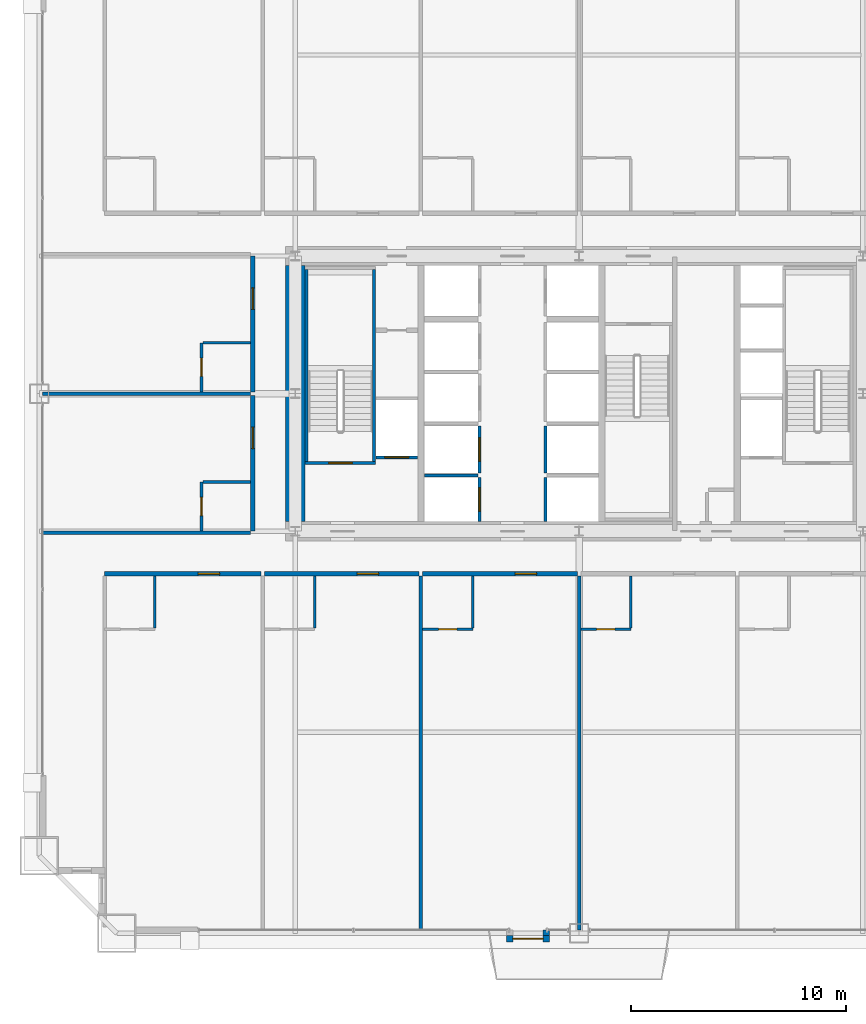
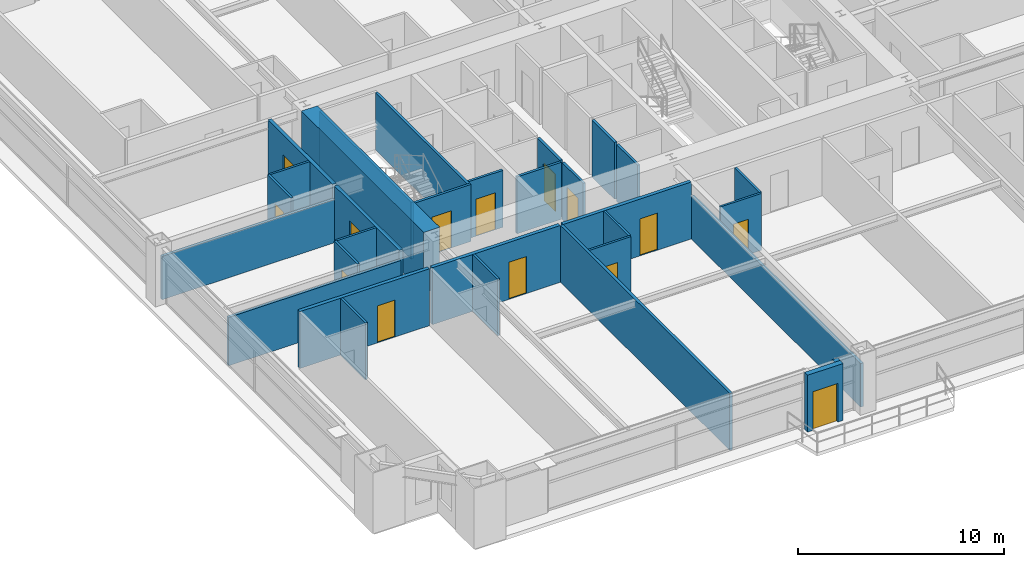
# One storey, part 40 of 45: 31 walls, 14 doors, 14 openings.
"""IFC4 building model written with IfcOpenShell, lengths in metres."""

from ifc_helpers import new_model, si_unit, direction, frame, frame_2d, origin, place, context, subcontext, project, spatial, rectangle, extrude, source, transform, mapped, material, layer, layer_set, type_object, element, fill, save


model = new_model("IFC4")

# Units and contexts
model_context = context("Model", 3, precision=1e-05, world=origin(), true_north=direction((0.0, 1.0)))
body_context = subcontext(model_context, "Body", "Model", "MODEL_VIEW")
ifc_project = project(units=[si_unit("LENGTHUNIT", "METRE"), si_unit("AREAUNIT", "SQUARE_METRE"), si_unit("VOLUMEUNIT", "CUBIC_METRE"), si_unit("PLANEANGLEUNIT", "RADIAN"), si_unit("MASSUNIT", "GRAM", prefix="KILO"), si_unit("THERMODYNAMICTEMPERATUREUNIT", "KELVIN"), si_unit("POWERUNIT", "WATT")], contexts=[model_context])

# Site, building, storey
site_placement = place(None, origin())
site = spatial("IfcSite", under=ifc_project, at=site_placement, CompositionType="ELEMENT")
building_placement = place(site_placement, origin())
building = spatial("IfcBuilding", under=site, at=building_placement, Name="Yuzanri Waterfront Tower", CompositionType="ELEMENT")
storey_placement = place(building_placement, frame((0.0, 0.0, 34.199951171875)))
storey = spatial("IfcBuildingStorey", under=building, at=storey_placement, Name="L08", CompositionType="ELEMENT", Elevation=34.199951171875)

# Wall, opening, door
ifc_material_1 = material(Name="Moisture-Resistant Gypsum Stud Wall", Category="gypsum")
ifc_layer_1 = layer(ifc_material_1, 0.1201171875)
ifc_layer_set_1 = layer_set([ifc_layer_1], Name="Moisture-Resistant Gypsum Stud Wall")
wall_type_1 = type_object("IfcWallType", Name="Bathroom and Kitchen Wet Partition 120", PredefinedType="PARTITIONING", material=ifc_layer_set_1)
wall_1_placement = place(storey_placement, frame((29.72705078125, 14.840087890625, 0.0), z_axis=(0.0, 0.0, 1.0), x_axis=(1.0, 0.0, 0.0)))
wall_1 = element("IfcWall", 1, at=wall_1_placement, inside=storey, type_object=wall_type_1, Name="L08 Partition UW-L08-S3-BS", PredefinedType="PARTITIONING", context=body_context, shape_type="SweptSolid", body=[
    extrude(rectangle(XDim=2.329833984375, YDim=0.1201171875, at=frame_2d((1.1650390625, 0.0))), origin(), (0.0, 0.0, 1.0), 3.380126953125),
])
opening_1_placement = place(wall_1_placement, frame((0.739990234375, 0.0, 0.0)))
opening_1 = element("IfcOpeningElement", 2, at=opening_1_placement, cuts=wall_1, Name="Opening ID-0850", PredefinedType="OPENING", context=body_context, shape_type="SweptSolid", body=[
    extrude(rectangle(XDim=0.85009765625, YDim=2.10009765625, at=frame_2d((0.425048828125, 1.050048828125))), frame((0.0, 0.074951171875, 0.0), z_axis=(0.0, -1.0, 0.0), x_axis=(1.0, 0.0, 0.0)), (0.0, 0.0, 1.0), 0.14990234375),
])
ifc_material_2 = material(Name="Moisture-Resistant Lacquered Timber", Category="wood")
door_type_1 = type_object("IfcDoorType", Name="En-Suite Bathroom and Kitchen Swing Door 850x2100", OperationType="NOTDEFINED", PredefinedType="DOOR", material=ifc_material_2)
shared_shape_1 = source(origin(), body_context, "Body", "SweptSolid", [
    extrude(rectangle(XDim=0.85009765625, YDim=2.10009765625, at=frame_2d((0.425048828125, 1.050048828125))), frame((0.0, 0.02490234375, 0.0), z_axis=(0.0, -1.0, 0.0), x_axis=(1.0, 0.0, 0.0)), (0.0, 0.0, 1.0), 0.050048828125),
])
door_1_placement = place(opening_1_placement, origin())
door_1 = element("IfcDoor", 3, at=door_1_placement, inside=storey, type_object=door_type_1, Name="L08 Guest En-Suite Door", OperationType="SINGLE_SWING_LEFT", OverallHeight=2.10009765625, OverallWidth=0.85009765625, PredefinedType="DOOR", context=body_context, shape_type="MappedRepresentation", body=[
    mapped(shared_shape_1, transform((0.0, 0.0, 0.0), scale=1.0)),
])
fill(opening_1, door_1)

wall_2_placement = place(storey_placement, frame((37.080078125, 14.840087890625, 0.0), z_axis=(0.0, 0.0, 1.0), x_axis=(1.0, 0.0, 0.0)))
wall_2 = element("IfcWall", 4, at=wall_2_placement, inside=storey, type_object=wall_type_1, Name="L08 Partition UW-L08-S4-BS", PredefinedType="PARTITIONING", context=body_context, shape_type="SweptSolid", body=[
    extrude(rectangle(XDim=2.329833984375, YDim=0.1201171875, at=frame_2d((1.1650390625, 0.0))), origin(), (0.0, 0.0, 1.0), 3.380126953125),
])
opening_2_placement = place(wall_2_placement, frame((0.739990234375, 0.0, 0.0)))
opening_2 = element("IfcOpeningElement", 5, at=opening_2_placement, cuts=wall_2, Name="Opening ID-0850", PredefinedType="OPENING", context=body_context, shape_type="SweptSolid", body=[
    extrude(rectangle(XDim=0.85009765625, YDim=2.10009765625, at=frame_2d((0.425048828125, 1.050048828125))), frame((0.0, 0.074951171875, 0.0), z_axis=(0.0, -1.0, 0.0), x_axis=(1.0, 0.0, 0.0)), (0.0, 0.0, 1.0), 0.14990234375),
])
door_2_placement = place(opening_2_placement, origin())
door_2 = element("IfcDoor", 6, at=door_2_placement, inside=storey, type_object=door_type_1, Name="L08 Guest En-Suite Door", OperationType="SINGLE_SWING_LEFT", OverallHeight=2.10009765625, OverallWidth=0.85009765625, PredefinedType="DOOR", context=body_context, shape_type="MappedRepresentation", body=[
    mapped(shared_shape_1, transform((0.0, 0.0, 0.0), scale=1.0)),
])
fill(opening_2, door_2)

wall_3_placement = place(storey_placement, frame((19.43994140625, 19.409912109375, 0.0), z_axis=(0.0, 0.0, 1.0), x_axis=(0.0, 1.0, 0.0)))
wall_3 = element("IfcWall", 7, at=wall_3_placement, inside=storey, type_object=wall_type_1, Name="L08 Partition UW-L08-W1-BW", PredefinedType="PARTITIONING", context=body_context, shape_type="SweptSolid", body=[
    extrude(rectangle(XDim=2.280029296875, YDim=0.1201171875, at=frame_2d((1.14013671875, 0.0))), origin(), (0.0, 0.0, 1.0), 3.380126953125),
])
opening_3_placement = place(wall_3_placement, frame((0.715087890625, 0.0, 0.0)))
opening_3 = element("IfcOpeningElement", 8, at=opening_3_placement, cuts=wall_3, Name="Opening ID-0850", PredefinedType="OPENING", context=body_context, shape_type="SweptSolid", body=[
    extrude(rectangle(XDim=0.85009765625, YDim=2.10009765625, at=frame_2d((0.425048828125, 1.050048828125))), frame((0.0, 0.074951171875, 0.0), z_axis=(0.0, -1.0, 0.0), x_axis=(1.0, 0.0, 0.0)), (0.0, 0.0, 1.0), 0.14990234375),
])
door_3_placement = place(opening_3_placement, origin())
door_3 = element("IfcDoor", 9, at=door_3_placement, inside=storey, type_object=door_type_1, Name="L08 Guest En-Suite Door", OperationType="SINGLE_SWING_LEFT", OverallHeight=2.10009765625, OverallWidth=0.85009765625, PredefinedType="DOOR", context=body_context, shape_type="MappedRepresentation", body=[
    mapped(shared_shape_1, transform((0.0, 0.0, 0.0), scale=1.0)),
])
fill(opening_3, door_3)

wall_4_placement = place(storey_placement, frame((19.43994140625, 25.8798828125, 0.0), z_axis=(0.0, 0.0, 1.0), x_axis=(0.0, 1.0, 0.0)))
wall_4 = element("IfcWall", 10, at=wall_4_placement, inside=storey, type_object=wall_type_1, Name="L08 Partition UW-L08-W2-BW", PredefinedType="PARTITIONING", context=body_context, shape_type="SweptSolid", body=[
    extrude(rectangle(XDim=2.280029296875, YDim=0.1201171875, at=frame_2d((1.14013671875, 0.0))), origin(), (0.0, 0.0, 1.0), 3.380126953125),
])
opening_4_placement = place(wall_4_placement, frame((0.715087890625, 0.0, 0.0)))
opening_4 = element("IfcOpeningElement", 11, at=opening_4_placement, cuts=wall_4, Name="Opening ID-0850", PredefinedType="OPENING", context=body_context, shape_type="SweptSolid", body=[
    extrude(rectangle(XDim=0.85009765625, YDim=2.10009765625, at=frame_2d((0.425048828125, 1.050048828125))), frame((0.0, 0.074951171875, 0.0), z_axis=(0.0, -1.0, 0.0), x_axis=(1.0, 0.0, 0.0)), (0.0, 0.0, 1.0), 0.14990234375),
])
door_4_placement = place(opening_4_placement, origin())
door_4 = element("IfcDoor", 12, at=door_4_placement, inside=storey, type_object=door_type_1, Name="L08 Guest En-Suite Door", OperationType="SINGLE_SWING_LEFT", OverallHeight=2.10009765625, OverallWidth=0.85009765625, PredefinedType="DOOR", context=body_context, shape_type="MappedRepresentation", body=[
    mapped(shared_shape_1, transform((0.0, 0.0, 0.0), scale=1.0)),
])
fill(opening_4, door_4)

ifc_material_3 = material(Name="Honed Chongqing Dark Basalt Stone", Category="masonry")
ifc_layer_2 = layer(ifc_material_3, 0.300048828125)
ifc_layer_set_2 = layer_set([ifc_layer_2], Name="Honed Chongqing Dark Basalt Stone")
wall_type_2 = type_object("IfcWallType", Name="Bronze Rainscreen Insulated Spandrel Portal Wall 300", PredefinedType="SOLIDWALL", material=ifc_layer_set_2)
wall_5_placement = place(storey_placement, frame((33.626953125, 0.449951171875, 0.0), z_axis=(0.0, 0.0, 1.0), x_axis=(1.0, 0.0, 0.0)))
wall_5 = element("IfcWall", 13, at=wall_5_placement, inside=storey, type_object=wall_type_2, Name="L08 S Terrace Door Portal Wall", PredefinedType="SOLIDWALL", context=body_context, shape_type="SweptSolid", body=[
    extrude(rectangle(XDim=2.0, YDim=0.300048828125, at=frame_2d((1.0, 0.0))), origin(), (0.0, 0.0, 1.0), 3.380126953125),
])
opening_5_placement = place(wall_5_placement, frame((0.300048828125, 0.0, 0.0)))
opening_5 = element("IfcOpeningElement", 14, at=opening_5_placement, cuts=wall_5, Name="Opening TD-1400", PredefinedType="OPENING", context=body_context, shape_type="SweptSolid", body=[
    extrude(rectangle(XDim=1.39990234375, YDim=2.300048828125, at=frame_2d((0.699951171875, 1.14990234375))), frame((0.0, 0.1650390625, 0.0), z_axis=(0.0, -1.0, 0.0), x_axis=(1.0, 0.0, 0.0)), (0.0, 0.0, 1.0), 0.329833984375),
])
ifc_material_4 = material(Name="Anodized Architectural Bronze", Category="metal")
door_type_2 = type_object("IfcDoorType", Name="Anodized Bronze Balcony and Terrace Glazed Double Door 1400x2300", OperationType="NOTDEFINED", PredefinedType="DOOR", material=ifc_material_4)
shared_shape_2 = source(origin(), body_context, "Body", "SweptSolid", [
    extrude(rectangle(XDim=1.39990234375, YDim=2.300048828125, at=frame_2d((0.699951171875, 1.14990234375))), frame((0.0, 0.02490234375, 0.0), z_axis=(0.0, -1.0, 0.0), x_axis=(1.0, 0.0, 0.0)), (0.0, 0.0, 1.0), 0.050048828125),
])
door_5_placement = place(opening_5_placement, origin())
door_5 = element("IfcDoor", 15, at=door_5_placement, inside=storey, type_object=door_type_2, Name="L08 S Terrace Glazed Double Door", OperationType="DOUBLE_DOOR_SINGLE_SWING", OverallHeight=2.300048828125, OverallWidth=1.39990234375, PredefinedType="DOOR", context=body_context, shape_type="MappedRepresentation", body=[
    mapped(shared_shape_2, transform((0.0, 0.0, 0.0), scale=1.0)),
])
fill(opening_5, door_5)

ifc_material_5 = material(Name="Concrete C40", Category="concrete")
ifc_layer_3 = layer(ifc_material_5, 0.139892578125)
ifc_layer_set_3 = layer_set([ifc_layer_3], Name="Concrete C40")
wall_type_3 = type_object("IfcWallType", Name="Core Stair Liner and Hoistway Shaft Wall 140", PredefinedType="SOLIDWALL", material=ifc_layer_set_3)
wall_6_placement = place(storey_placement, frame((27.56005859375, 22.830078125, 0.0), z_axis=(0.0, 0.0, 1.0), x_axis=(1.0, 0.0, 0.0)))
wall_6 = element("IfcWall", 16, at=wall_6_placement, inside=storey, type_object=wall_type_3, Name="L08 Lift FL-01 Front Shaft Wall", PredefinedType="SOLIDWALL", context=body_context, shape_type="SweptSolid", body=[
    extrude(rectangle(XDim=1.919921875, YDim=0.139892578125, at=frame_2d((0.9599609375, 0.0))), origin(), (0.0, 0.0, 1.0), 3.380126953125),
])
opening_6_placement = place(wall_6_placement, frame((0.409912109375, 0.0, 0.0)))
opening_6 = element("IfcOpeningElement", 17, at=opening_6_placement, cuts=wall_6, Name="Opening LD-FL-01", PredefinedType="OPENING", context=body_context, shape_type="SweptSolid", body=[
    extrude(rectangle(XDim=1.10009765625, YDim=2.199951171875, at=frame_2d((0.550048828125, 1.10009765625))), frame((0.0, 0.0849609375, 0.0), z_axis=(0.0, -1.0, 0.0), x_axis=(1.0, 0.0, 0.0)), (0.0, 0.0, 1.0), 0.169677734375),
])
ifc_material_6 = material(Name="Brushed Bronze and Stainless Steel Cab", Category="steel")
door_type_3 = type_object("IfcDoorType", Name="Center-Parting Bronze Lift Landing Sliding Door 1100x2200", OperationType="NOTDEFINED", PredefinedType="DOOR", material=ifc_material_6)
shared_shape_3 = source(origin(), body_context, "Body", "SweptSolid", [
    extrude(rectangle(XDim=1.10009765625, YDim=2.199951171875, at=frame_2d((0.550048828125, 1.10009765625))), frame((0.0, 0.02490234375, 0.0), z_axis=(0.0, -1.0, 0.0), x_axis=(1.0, 0.0, 0.0)), (0.0, 0.0, 1.0), 0.050048828125),
])
door_6_placement = place(opening_6_placement, origin())
door_6 = element("IfcDoor", 18, at=door_6_placement, inside=storey, type_object=door_type_3, Name="L08 FL-01 Lift Landing Sliding Door", OperationType="SLIDING_TO_LEFT", OverallHeight=2.199951171875, OverallWidth=1.10009765625, PredefinedType="DOOR", context=body_context, shape_type="MappedRepresentation", body=[
    mapped(shared_shape_3, transform((0.0, 0.0, 0.0), scale=1.0)),
])
fill(opening_6, door_6)

wall_7_placement = place(storey_placement, frame((32.3701171875, 19.860107421875, 0.0), z_axis=(0.0, 0.0, 1.0), x_axis=(0.0, 1.0, 0.0)))
wall_7 = element("IfcWall", 19, at=wall_7_placement, inside=storey, type_object=wall_type_3, Name="L08 Lift PL-01 Front Shaft Wall", PredefinedType="SOLIDWALL", context=body_context, shape_type="SweptSolid", body=[
    extrude(rectangle(XDim=2.039794921875, YDim=0.139892578125, at=frame_2d((1.02001953125, 0.0))), origin(), (0.0, 0.0, 1.0), 3.380126953125),
])
opening_7_placement = place(wall_7_placement, frame((0.469970703125, 0.0, 0.0)))
opening_7 = element("IfcOpeningElement", 20, at=opening_7_placement, cuts=wall_7, Name="Opening LD-PL-01", PredefinedType="OPENING", context=body_context, shape_type="SweptSolid", body=[
    extrude(rectangle(XDim=1.10009765625, YDim=2.199951171875, at=frame_2d((0.550048828125, 1.10009765625))), frame((0.0, 0.0849609375, 0.0), z_axis=(0.0, -1.0, 0.0), x_axis=(1.0, 0.0, 0.0)), (0.0, 0.0, 1.0), 0.169677734375),
])
door_7_placement = place(opening_7_placement, origin())
door_7 = element("IfcDoor", 21, at=door_7_placement, inside=storey, type_object=door_type_3, Name="L08 PL-01 Lift Landing Sliding Door", OperationType="SLIDING_TO_LEFT", OverallHeight=2.199951171875, OverallWidth=1.10009765625, PredefinedType="DOOR", context=body_context, shape_type="MappedRepresentation", body=[
    mapped(shared_shape_3, transform((0.0, 0.0, 0.0), scale=1.0)),
])
fill(opening_7, door_7)

wall_8_placement = place(storey_placement, frame((32.3701171875, 22.10009765625, 0.0), z_axis=(0.0, 0.0, 1.0), x_axis=(0.0, 1.0, 0.0)))
wall_8 = element("IfcWall", 22, at=wall_8_placement, inside=storey, type_object=wall_type_3, Name="L08 Lift PL-02 Front Shaft Wall", PredefinedType="SOLIDWALL", context=body_context, shape_type="SweptSolid", body=[
    extrude(rectangle(XDim=2.199951171875, YDim=0.139892578125, at=frame_2d((1.10009765625, 0.0))), origin(), (0.0, 0.0, 1.0), 3.380126953125),
])
opening_8_placement = place(wall_8_placement, frame((0.550048828125, 0.0, 0.0)))
opening_8 = element("IfcOpeningElement", 23, at=opening_8_placement, cuts=wall_8, Name="Opening LD-PL-02", PredefinedType="OPENING", context=body_context, shape_type="SweptSolid", body=[
    extrude(rectangle(XDim=1.10009765625, YDim=2.199951171875, at=frame_2d((0.550048828125, 1.10009765625))), frame((0.0, 0.0849609375, 0.0), z_axis=(0.0, -1.0, 0.0), x_axis=(1.0, 0.0, 0.0)), (0.0, 0.0, 1.0), 0.169677734375),
])
door_8_placement = place(opening_8_placement, origin())
door_8 = element("IfcDoor", 24, at=door_8_placement, inside=storey, type_object=door_type_3, Name="L08 PL-02 Lift Landing Sliding Door", OperationType="SLIDING_TO_RIGHT", OverallHeight=2.199951171875, OverallWidth=1.10009765625, PredefinedType="DOOR", context=body_context, shape_type="MappedRepresentation", body=[
    mapped(shared_shape_3, transform((0.0, 0.0, 0.0), scale=1.0)),
])
fill(opening_8, door_8)

wall_9_placement = place(storey_placement, frame((24.260009765625, 22.570068359375, 0.0), z_axis=(0.0, 0.0, 1.0), x_axis=(1.0, 0.0, 0.0)))
wall_9 = element("IfcWall", 25, at=wall_9_placement, inside=storey, type_object=wall_type_3, Name="L08 Shaft Wall STW-L08-ST-01-S", PredefinedType="SOLIDWALL", context=body_context, shape_type="SweptSolid", body=[
    extrude(rectangle(XDim=3.280029296875, YDim=0.139892578125, at=frame_2d((1.64013671875, 0.0))), origin(), (0.0, 0.0, 1.0), 3.380126953125),
])
opening_9_placement = place(wall_9_placement, frame((1.090087890625, 0.0, 0.0)))
opening_9 = element("IfcOpeningElement", 26, at=opening_9_placement, cuts=wall_9, Name="Opening FD-1100", PredefinedType="OPENING", context=body_context, shape_type="SweptSolid", body=[
    extrude(rectangle(XDim=1.10009765625, YDim=2.199951171875, at=frame_2d((0.550048828125, 1.10009765625))), frame((0.0, 0.0849609375, 0.0), z_axis=(0.0, -1.0, 0.0), x_axis=(1.0, 0.0, 0.0)), (0.0, 0.0, 1.0), 0.169677734375),
])
ifc_material_7 = material(Name="Painted Galvanized Fire Steel", Category="steel")
door_type_4 = type_object("IfcDoorType", Name="Smoke-Proof Stair and Lobby Fire Door 1100x2200", OperationType="NOTDEFINED", PredefinedType="DOOR", material=ifc_material_7)
shared_shape_4 = source(origin(), body_context, "Body", "SweptSolid", [
    extrude(rectangle(XDim=1.10009765625, YDim=2.199951171875, at=frame_2d((0.550048828125, 1.10009765625))), frame((0.0, 0.02490234375, 0.0), z_axis=(0.0, -1.0, 0.0), x_axis=(1.0, 0.0, 0.0)), (0.0, 0.0, 1.0), 0.050048828125),
])
door_9_placement = place(opening_9_placement, origin())
door_9 = element("IfcDoor", 27, at=door_9_placement, inside=storey, type_object=door_type_4, Name="L08 Stair ST-01 Fire Door", OperationType="SINGLE_SWING_RIGHT", OverallHeight=2.199951171875, OverallWidth=1.10009765625, PredefinedType="DOOR", context=body_context, shape_type="MappedRepresentation", body=[
    mapped(shared_shape_4, transform((0.0, 0.0, 0.0), scale=1.0)),
])
fill(opening_9, door_9)

ifc_material_8 = material(Name="Autoclaved Aerated Concrete Blockwork", Category="masonry")
ifc_layer_4 = layer(ifc_material_8, 0.199951171875)
ifc_layer_set_4 = layer_set([ifc_layer_4], Name="Autoclaved Aerated Concrete Blockwork")
wall_type_4 = type_object("IfcWallType", Name="Corridor and Unit Party Fire Wall 200", PredefinedType="PARTITIONING", material=ifc_layer_set_4)
wall_10_placement = place(storey_placement, frame((14.93994140625, 17.419921875, 0.0), z_axis=(0.0, 0.0, 1.0), x_axis=(1.0, 0.0, 0.0)))
wall_10 = element("IfcWall", 28, at=wall_10_placement, inside=storey, type_object=wall_type_4, Name="L08 Partition UW-L08-S1-CN", PredefinedType="PARTITIONING", context=body_context, shape_type="SweptSolid", body=[
    extrude(rectangle(XDim=7.27294921875, YDim=0.199951171875, at=frame_2d((3.636474609375, 0.0))), origin(), (0.0, 0.0, 1.0), 3.380126953125),
])
opening_10_placement = place(wall_10_placement, frame((4.342041015625, 0.0, 0.0)))
opening_10 = element("IfcOpeningElement", 29, at=opening_10_placement, cuts=wall_10, Name="Opening FD-1000", PredefinedType="OPENING", context=body_context, shape_type="SweptSolid", body=[
    extrude(rectangle(XDim=1.0, YDim=2.199951171875, at=frame_2d((0.5, 1.10009765625))), frame((0.0, 0.11474609375, 0.0), z_axis=(0.0, -1.0, 0.0), x_axis=(1.0, 0.0, 0.0)), (0.0, 0.0, 1.0), 0.229736328125),
])
ifc_material_9 = material(Name="Engineered Oak Fire-Rated Timber", Category="wood")
door_type_5 = type_object("IfcDoorType", Name="Guestroom and Apartment Entrance Fire Door 1000x2200", OperationType="NOTDEFINED", PredefinedType="DOOR", material=ifc_material_9)
shared_shape_5 = source(origin(), body_context, "Body", "SweptSolid", [
    extrude(rectangle(XDim=1.0, YDim=2.199951171875, at=frame_2d((0.5, 1.10009765625))), frame((0.0, 0.02490234375, 0.0), z_axis=(0.0, -1.0, 0.0), x_axis=(1.0, 0.0, 0.0)), (0.0, 0.0, 1.0), 0.050048828125),
])
door_10_placement = place(opening_10_placement, origin())
door_10 = element("IfcDoor", 30, at=door_10_placement, inside=storey, type_object=door_type_5, Name="L08 Premier King Junior Suite Entrance Door", OperationType="SINGLE_SWING_RIGHT", OverallHeight=2.199951171875, OverallWidth=1.0, PredefinedType="DOOR", context=body_context, shape_type="MappedRepresentation", body=[
    mapped(shared_shape_5, transform((0.0, 0.0, 0.0), scale=1.0)),
])
fill(opening_10, door_10)

wall_11_placement = place(storey_placement, frame((22.373046875, 17.419921875, 0.0), z_axis=(0.0, 0.0, 1.0), x_axis=(1.0, 0.0, 0.0)))
wall_11 = element("IfcWall", 31, at=wall_11_placement, inside=storey, type_object=wall_type_4, Name="L08 Partition UW-L08-S2-CN", PredefinedType="PARTITIONING", context=body_context, shape_type="SweptSolid", body=[
    extrude(rectangle(XDim=7.19384765625, YDim=0.199951171875, at=frame_2d((3.596923828125, 0.0))), origin(), (0.0, 0.0, 1.0), 3.380126953125),
])
opening_11_placement = place(wall_11_placement, frame((4.302001953125, 0.0, 0.0)))
opening_11 = element("IfcOpeningElement", 32, at=opening_11_placement, cuts=wall_11, Name="Opening FD-1000", PredefinedType="OPENING", context=body_context, shape_type="SweptSolid", body=[
    extrude(rectangle(XDim=1.0, YDim=2.199951171875, at=frame_2d((0.5, 1.10009765625))), frame((0.0, 0.11474609375, 0.0), z_axis=(0.0, -1.0, 0.0), x_axis=(1.0, 0.0, 0.0)), (0.0, 0.0, 1.0), 0.229736328125),
])
door_11_placement = place(opening_11_placement, origin())
door_11 = element("IfcDoor", 33, at=door_11_placement, inside=storey, type_object=door_type_5, Name="L08 Premier King Junior Suite Entrance Door", OperationType="SINGLE_SWING_RIGHT", OverallHeight=2.199951171875, OverallWidth=1.0, PredefinedType="DOOR", context=body_context, shape_type="MappedRepresentation", body=[
    mapped(shared_shape_5, transform((0.0, 0.0, 0.0), scale=1.0)),
])
fill(opening_11, door_11)

wall_12_placement = place(storey_placement, frame((29.72705078125, 17.419921875, 0.0), z_axis=(0.0, 0.0, 1.0), x_axis=(1.0, 0.0, 0.0)))
wall_12 = element("IfcWall", 34, at=wall_12_placement, inside=storey, type_object=wall_type_4, Name="L08 Partition UW-L08-S3-CN", PredefinedType="PARTITIONING", context=body_context, shape_type="SweptSolid", body=[
    extrude(rectangle(XDim=7.19287109375, YDim=0.199951171875, at=frame_2d((3.596435546875, 0.0))), origin(), (0.0, 0.0, 1.0), 3.380126953125),
])
opening_12_placement = place(wall_12_placement, frame((4.302001953125, 0.0, 0.0)))
opening_12 = element("IfcOpeningElement", 35, at=opening_12_placement, cuts=wall_12, Name="Opening FD-1000", PredefinedType="OPENING", context=body_context, shape_type="SweptSolid", body=[
    extrude(rectangle(XDim=1.0, YDim=2.199951171875, at=frame_2d((0.5, 1.10009765625))), frame((0.0, 0.11474609375, 0.0), z_axis=(0.0, -1.0, 0.0), x_axis=(1.0, 0.0, 0.0)), (0.0, 0.0, 1.0), 0.229736328125),
])
door_12_placement = place(opening_12_placement, origin())
door_12 = element("IfcDoor", 36, at=door_12_placement, inside=storey, type_object=door_type_5, Name="L08 Premier King Junior Suite Entrance Door", OperationType="SINGLE_SWING_RIGHT", OverallHeight=2.199951171875, OverallWidth=1.0, PredefinedType="DOOR", context=body_context, shape_type="MappedRepresentation", body=[
    mapped(shared_shape_5, transform((0.0, 0.0, 0.0), scale=1.0)),
])
fill(opening_12, door_12)

wall_13_placement = place(storey_placement, frame((21.820068359375, 19.409912109375, 0.0), z_axis=(0.0, 0.0, 1.0), x_axis=(0.0, 1.0, 0.0)))
wall_13 = element("IfcWall", 37, at=wall_13_placement, inside=storey, type_object=wall_type_4, Name="L08 Partition UW-L08-W1-CW", PredefinedType="PARTITIONING", context=body_context, shape_type="SweptSolid", body=[
    extrude(rectangle(XDim=6.31005859375, YDim=0.199951171875, at=frame_2d((3.155029296875, 0.0))), origin(), (0.0, 0.0, 1.0), 3.380126953125),
])
opening_13_placement = place(wall_13_placement, frame((3.8349609375, 0.0, 0.0)))
opening_13 = element("IfcOpeningElement", 38, at=opening_13_placement, cuts=wall_13, Name="Opening FD-1000", PredefinedType="OPENING", context=body_context, shape_type="SweptSolid", body=[
    extrude(rectangle(XDim=1.0, YDim=2.199951171875, at=frame_2d((0.5, 1.10009765625))), frame((0.0, 0.11474609375, 0.0), z_axis=(0.0, -1.0, 0.0), x_axis=(1.0, 0.0, 0.0)), (0.0, 0.0, 1.0), 0.229736328125),
])
door_13_placement = place(opening_13_placement, origin())
door_13 = element("IfcDoor", 39, at=door_13_placement, inside=storey, type_object=door_type_5, Name="L08 West Guest Room Entrance Door", OperationType="SINGLE_SWING_RIGHT", OverallHeight=2.199951171875, OverallWidth=1.0, PredefinedType="DOOR", context=body_context, shape_type="MappedRepresentation", body=[
    mapped(shared_shape_5, transform((0.0, 0.0, 0.0), scale=1.0)),
])
fill(opening_13, door_13)

wall_14_placement = place(storey_placement, frame((21.820068359375, 25.8798828125, 0.0), z_axis=(0.0, 0.0, 1.0), x_axis=(0.0, 1.0, 0.0)))
wall_14 = element("IfcWall", 40, at=wall_14_placement, inside=storey, type_object=wall_type_4, Name="L08 Partition UW-L08-W2-CW", PredefinedType="PARTITIONING", context=body_context, shape_type="SweptSolid", body=[
    extrude(rectangle(XDim=6.31005859375, YDim=0.199951171875, at=frame_2d((3.155029296875, 0.0))), origin(), (0.0, 0.0, 1.0), 3.380126953125),
])
opening_14_placement = place(wall_14_placement, frame((3.8349609375, 0.0, 0.0)))
opening_14 = element("IfcOpeningElement", 41, at=opening_14_placement, cuts=wall_14, Name="Opening FD-1000", PredefinedType="OPENING", context=body_context, shape_type="SweptSolid", body=[
    extrude(rectangle(XDim=1.0, YDim=2.199951171875, at=frame_2d((0.5, 1.10009765625))), frame((0.0, 0.11474609375, 0.0), z_axis=(0.0, -1.0, 0.0), x_axis=(1.0, 0.0, 0.0)), (0.0, 0.0, 1.0), 0.229736328125),
])
door_14_placement = place(opening_14_placement, origin())
door_14 = element("IfcDoor", 42, at=door_14_placement, inside=storey, type_object=door_type_5, Name="L08 West Guest Room Entrance Door", OperationType="SINGLE_SWING_RIGHT", OverallHeight=2.199951171875, OverallWidth=1.0, PredefinedType="DOOR", context=body_context, shape_type="MappedRepresentation", body=[
    mapped(shared_shape_5, transform((0.0, 0.0, 0.0), scale=1.0)),
])
fill(opening_14, door_14)

# Walls
ifc_material_10 = material(Name="Concrete C60", Category="concrete")
ifc_layer_5 = layer(ifc_material_10, 0.89990234375)
ifc_layer_set_5 = layer_set([ifc_layer_5], Name="Concrete C60")
wall_type_5 = type_object("IfcWallType", Name="Concrete C60 Lower Zone Core Shear Wall 900", PredefinedType="SHEAR", material=ifc_layer_set_5)
shared_shape_6 = source(origin(), body_context, "Body", "SweptSolid", [
    extrude(rectangle(XDim=11.89990234375, YDim=0.89990234375, at=frame_2d((5.949951171875, 0.0))), origin(), (0.0, 0.0, 1.0), 3.60009765625),
])
wall_15_placement = place(storey_placement, frame((23.800048828125, 19.85009765625, 0.0), z_axis=(0.0, 0.0, 1.0), x_axis=(0.0, 1.0, 0.0)))
element("IfcWall", 43, at=wall_15_placement, inside=storey, type_object=wall_type_5, Name="L08 Core West Shear Wall", PredefinedType="SHEAR", context=body_context, shape_type="MappedRepresentation", body=[
    mapped(shared_shape_6, transform((0.0, 0.0, 0.0), scale=1.0)),
])
shared_shape_7 = source(origin(), body_context, "Body", "SweptSolid", [
    extrude(rectangle(XDim=0.25, YDim=0.300048828125, at=frame_2d((0.125, 0.0))), origin(), (0.0, 0.0, 1.0), 3.380126953125),
])
wall_16_placement = place(storey_placement, frame((35.47705078125, 0.60009765625, 0.0), z_axis=(0.0, 0.0, 1.0), x_axis=(0.0, 1.0, 0.0)))
element("IfcWall", 44, at=wall_16_placement, inside=storey, type_object=wall_type_2, Name="L08 S Terrace Portal Right Return", PredefinedType="SOLIDWALL", context=body_context, shape_type="MappedRepresentation", body=[
    mapped(shared_shape_7, transform((0.0, 0.0, 0.0), scale=1.0)),
])
shared_shape_8 = source(origin(), body_context, "Body", "SweptSolid", [
    extrude(rectangle(XDim=2.5, YDim=0.139892578125, at=frame_2d((1.25, 0.0))), origin(), (0.0, 0.0, 1.0), 3.380126953125),
])
wall_17_placement = place(storey_placement, frame((29.800048828125, 22.0, 0.0), z_axis=(0.0, 0.0, 1.0), x_axis=(1.0, 0.0, 0.0)))
element("IfcWall", 45, at=wall_17_placement, inside=storey, type_object=wall_type_3, Name="L08 Lift PL-01 Divider Wall", PredefinedType="SOLIDWALL", context=body_context, shape_type="MappedRepresentation", body=[
    mapped(shared_shape_8, transform((0.0, 0.0, 0.0), scale=1.0)),
])
shared_shape_9 = source(origin(), body_context, "Body", "SweptSolid", [
    extrude(rectangle(XDim=2.039794921875, YDim=0.139892578125, at=frame_2d((1.02001953125, 0.0))), origin(), (0.0, 0.0, 1.0), 3.380126953125),
])
wall_18_placement = place(storey_placement, frame((35.429931640625, 19.860107421875, 0.0), z_axis=(0.0, 0.0, 1.0), x_axis=(0.0, 1.0, 0.0)))
element("IfcWall", 46, at=wall_18_placement, inside=storey, type_object=wall_type_3, Name="L08 Lift PL-05 Front Shaft Wall", PredefinedType="SOLIDWALL", context=body_context, shape_type="MappedRepresentation", body=[
    mapped(shared_shape_9, transform((0.0, 0.0, 0.0), scale=1.0)),
])
shared_shape_10 = source(origin(), body_context, "Body", "SweptSolid", [
    extrude(rectangle(XDim=2.199951171875, YDim=0.139892578125, at=frame_2d((1.10009765625, 0.0))), origin(), (0.0, 0.0, 1.0), 3.380126953125),
])
wall_19_placement = place(storey_placement, frame((35.429931640625, 22.10009765625, 0.0), z_axis=(0.0, 0.0, 1.0), x_axis=(0.0, 1.0, 0.0)))
element("IfcWall", 47, at=wall_19_placement, inside=storey, type_object=wall_type_3, Name="L08 Lift PL-06 Front Shaft Wall", PredefinedType="SOLIDWALL", context=body_context, shape_type="MappedRepresentation", body=[
    mapped(shared_shape_10, transform((0.0, 0.0, 0.0), scale=1.0)),
])
ifc_material_11 = material(Name="Gypsum Fireboard Acoustic Stud Wall", Category="gypsum")
ifc_layer_6 = layer(ifc_material_11, 0.159912109375)
ifc_layer_set_6 = layer_set([ifc_layer_6], Name="Gypsum Fireboard Acoustic Stud Wall")
wall_type_6 = type_object("IfcWallType", Name="Acoustic Suite Demising Partition 160", PredefinedType="PARTITIONING", material=ifc_layer_set_6)
shared_shape_11 = source(origin(), body_context, "Body", "SweptSolid", [
    extrude(rectangle(XDim=16.469970703125, YDim=0.159912109375, at=frame_2d((8.23486328125, 0.0))), origin(), (0.0, 0.0, 1.0), 2.574951171875),
])
wall_20_placement = place(storey_placement, frame((37.0, 0.85009765625, 0.0), z_axis=(0.0, 0.0, 1.0), x_axis=(0.0, 1.0, 0.0)))
element("IfcWall", 48, at=wall_20_placement, inside=storey, type_object=wall_type_6, Name="L08-S3 Party Wall", PredefinedType="PARTITIONING", context=body_context, shape_type="MappedRepresentation", body=[
    mapped(shared_shape_11, transform((0.0, 0.0, 0.0), scale=1.0)),
])
shared_shape_12 = source(origin(), body_context, "Body", "SweptSolid", [
    extrude(rectangle(XDim=9.669921875, YDim=0.159912109375, at=frame_2d((4.8349609375, 0.0))), origin(), (0.0, 0.0, 1.0), 2.574951171875),
])
wall_21_placement = place(storey_placement, frame((12.050048828125, 25.800048828125, 0.0), z_axis=(0.0, 0.0, 1.0), x_axis=(1.0, 0.0, 0.0)))
element("IfcWall", 49, at=wall_21_placement, inside=storey, type_object=wall_type_6, Name="L08-W1 Wing Party Wall", PredefinedType="PARTITIONING", context=body_context, shape_type="MappedRepresentation", body=[
    mapped(shared_shape_12, transform((0.0, 0.0, 0.0), scale=1.0)),
])
shared_shape_13 = source(origin(), body_context, "Body", "SweptSolid", [
    extrude(rectangle(XDim=9.669921875, YDim=0.159912109375, at=frame_2d((4.8349609375, 0.0))), origin(), (0.0, 0.0, 1.0), 2.875),
])
wall_22_placement = place(storey_placement, frame((12.050048828125, 19.330078125, 0.0), z_axis=(0.0, 0.0, 1.0), x_axis=(1.0, 0.0, 0.0)))
element("IfcWall", 50, at=wall_22_placement, inside=storey, type_object=wall_type_6, Name="L08-W1 Wing South End Wall", PredefinedType="PARTITIONING", context=body_context, shape_type="MappedRepresentation", body=[
    mapped(shared_shape_13, transform((0.0, 0.0, 0.0), scale=1.0)),
])
shared_shape_14 = source(origin(), body_context, "Body", "SweptSolid", [
    extrude(rectangle(XDim=8.940185546875, YDim=0.139892578125, at=frame_2d((4.47021484375, 0.0))), origin(), (0.0, 0.0, 1.0), 3.380126953125),
])
for number, where, z_axis, x_axis, name in (
    (51, (24.330078125, 22.639892578125, 0.0), (0.0, 0.0, 1.0), (0.0, 1.0, 0.0), "L08 Stair ST-01 West Shaft Wall"),
    (52, (27.469970703125, 22.639892578125, 0.0), (0.0, 0.0, 1.0), (0.0, 1.0, 0.0), "L08 Stair ST-01 East Shaft Wall"),
):
    element("IfcWall", number, at=place(storey_placement, frame(where, z_axis=z_axis, x_axis=x_axis)), inside=storey, type_object=wall_type_3, Name=name, PredefinedType="SOLIDWALL", context=body_context, shape_type="MappedRepresentation", body=[
        mapped(shared_shape_14, transform((0.0, 0.0, 0.0), scale=1.0)),
    ])
shared_shape_15 = source(origin(), body_context, "Body", "SweptSolid", [
    extrude(rectangle(XDim=16.469970703125, YDim=0.159912109375, at=frame_2d((8.23486328125, 0.0))), origin(), (0.0, 0.0, 1.0), 3.380126953125),
])
wall_23_placement = place(storey_placement, frame((29.64697265625, 0.85009765625, 0.0), z_axis=(0.0, 0.0, 1.0), x_axis=(0.0, 1.0, 0.0)))
element("IfcWall", 53, at=wall_23_placement, inside=storey, type_object=wall_type_6, Name="L08-S2 Party Wall", PredefinedType="PARTITIONING", context=body_context, shape_type="MappedRepresentation", body=[
    mapped(shared_shape_15, transform((0.0, 0.0, 0.0), scale=1.0)),
])
shared_shape_16 = source(origin(), body_context, "Body", "SweptSolid", [
    extrude(rectangle(XDim=2.420166015625, YDim=0.1201171875, at=frame_2d((1.2099609375, 0.0))), origin(), (0.0, 0.0, 1.0), 3.380126953125),
])
for number, where, z_axis, x_axis, name in (
    (54, (17.27001953125, 14.89990234375, 0.0), (0.0, 0.0, 1.0), (0.0, 1.0, 0.0), "L08-S1 En-Suite Side Wall"),
    (55, (24.702880859375, 14.89990234375, 0.0), (0.0, 0.0, 1.0), (0.0, 1.0, 0.0), "L08-S2 En-Suite Side Wall"),
    (56, (32.056884765625, 14.89990234375, 0.0), (0.0, 0.0, 1.0), (0.0, 1.0, 0.0), "L08-S3 En-Suite Side Wall"),
    (57, (39.409912109375, 14.89990234375, 0.0), (0.0, 0.0, 1.0), (0.0, 1.0, 0.0), "L08-S4 En-Suite Side Wall"),
):
    element("IfcWall", number, at=place(storey_placement, frame(where, z_axis=z_axis, x_axis=x_axis)), inside=storey, type_object=wall_type_1, Name=name, PredefinedType="PARTITIONING", context=body_context, shape_type="MappedRepresentation", body=[
        mapped(shared_shape_16, transform((0.0, 0.0, 0.0), scale=1.0)),
    ])
shared_shape_17 = source(origin(), body_context, "Body", "SweptSolid", [
    extrude(rectangle(XDim=2.219970703125, YDim=0.1201171875, at=frame_2d((1.10986328125, 0.0))), origin(), (0.0, 0.0, 1.0), 3.380126953125),
])
for number, where, z_axis, x_axis, name in (
    (58, (19.5, 21.68994140625, 0.0), (0.0, 0.0, 1.0), (1.0, 0.0, 0.0), "L08-W1 En-Suite Top Wall"),
    (59, (19.5, 28.159912109375, 0.0), (0.0, 0.0, 1.0), (1.0, 0.0, 0.0), "L08-W2 En-Suite Top Wall"),
):
    element("IfcWall", number, at=place(storey_placement, frame(where, z_axis=z_axis, x_axis=x_axis)), inside=storey, type_object=wall_type_1, Name=name, PredefinedType="PARTITIONING", context=body_context, shape_type="MappedRepresentation", body=[
        mapped(shared_shape_17, transform((0.0, 0.0, 0.0), scale=1.0)),
    ])

save(model, "model.ifc")
